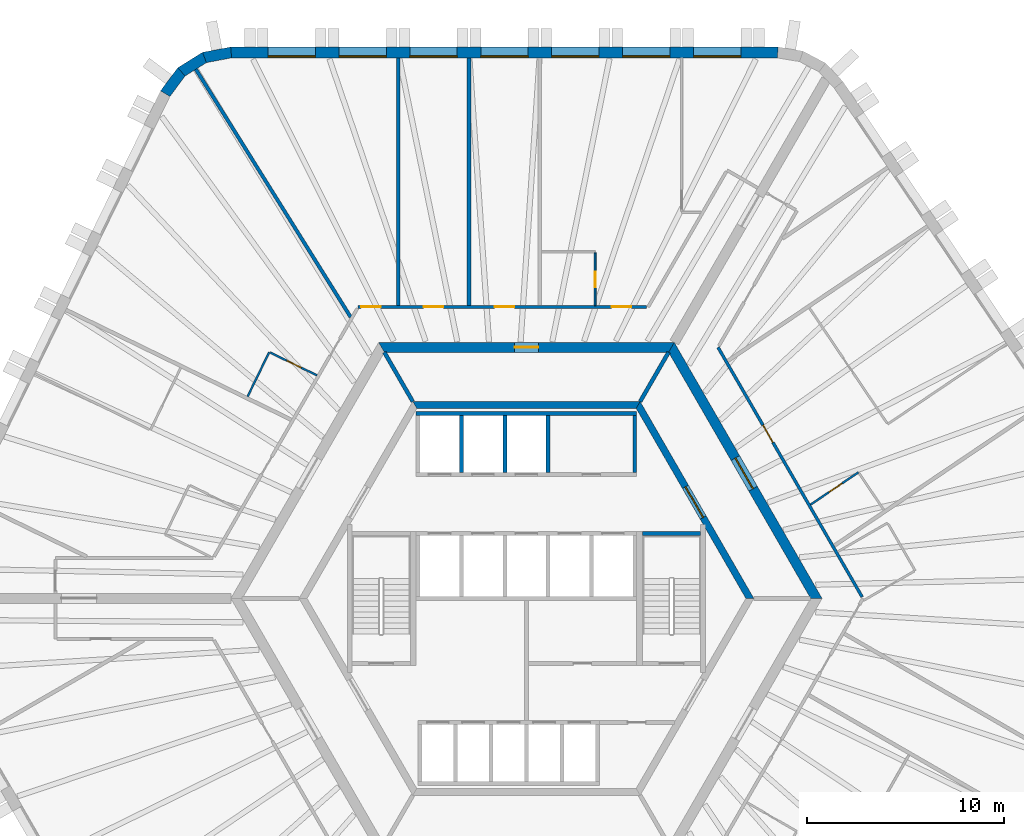
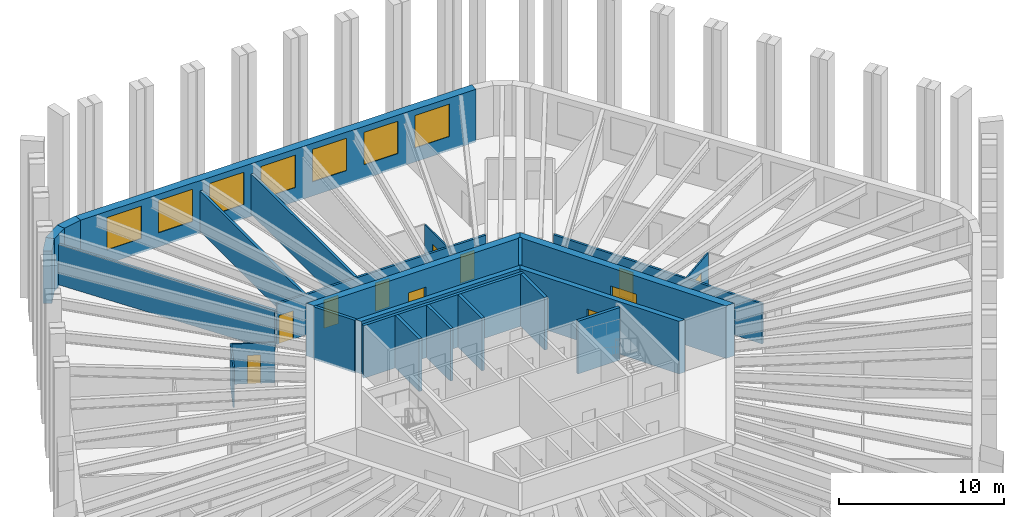
# One storey, part 7 of 9: 25 walls, 11 doors, 7 windows, 18 openings.
"""IFC4 building model written with IfcOpenShell, lengths in metres."""

from ifc_helpers import new_model, si_unit, direction, frame, frame_2d, origin, place, context, subcontext, project, spatial, polyline, rectangle, outline, extrude, material, layer, layer_set, type_object, element, fill, save


model = new_model("IFC4")

# Units and contexts
model_context = context("Model", 3, precision=1e-05, world=origin(), true_north=direction((0.0, 1.0)))
body_context = subcontext(model_context, "Body", "Model", "MODEL_VIEW")
ifc_project = project(units=[si_unit("LENGTHUNIT", "METRE"), si_unit("AREAUNIT", "SQUARE_METRE"), si_unit("VOLUMEUNIT", "CUBIC_METRE"), si_unit("PLANEANGLEUNIT", "RADIAN"), si_unit("MASSUNIT", "GRAM", prefix="KILO")], contexts=[model_context])

# Site, building, storey
site_placement = place(None, origin())
site = spatial("IfcSite", under=ifc_project, at=site_placement, CompositionType="ELEMENT")
building_placement = place(site_placement, origin())
building = spatial("IfcBuilding", under=site, at=building_placement, Name="Tarnside Tower", CompositionType="ELEMENT")
storey_placement = place(building_placement, frame((0.0, 0.0, 215.10009765625)))
storey = spatial("IfcBuildingStorey", under=building, at=storey_placement, Name="L51", CompositionType="ELEMENT", Elevation=215.10009765625)

# Wall, opening, door
ifc_material_1 = material(Name="Gypsum board partition on steel studs", Category="steel")
ifc_layer_1 = layer(ifc_material_1, 0.10009765625)
ifc_layer_set_1 = layer_set([ifc_layer_1], Name="Bathroom wall 100")
wall_type_1 = type_object("IfcWallType", Name="Bathroom wall 100", PredefinedType="PARTITIONING", material=ifc_layer_set_1)
wall_1_placement = place(storey_placement, frame((3.482177734375, 17.550048828125, 0.0), z_axis=(0.0, 0.0, 1.0), x_axis=(0.0, -1.0, 0.0)))
wall_1 = element("IfcWall", 1, at=wall_1_placement, inside=storey, type_object=wall_type_1, Name="Bathroom wall 17047", PredefinedType="PARTITIONING", context=body_context, shape_type="SweptSolid", body=[
    extrude(rectangle(XDim=2.675048828125, YDim=0.10009765625, at=frame_2d((1.33740234375, 0.0))), origin(), (0.0, 0.0, 1.0), 2.98779296875),
])
opening_1_placement = place(wall_1_placement, frame((0.949951171875, 0.0, 0.0)))
opening_1 = element("IfcOpeningElement", 2, at=opening_1_placement, cuts=wall_1, Name="Opening D-B1", PredefinedType="OPENING", context=body_context, shape_type="SweptSolid", body=[
    extrude(rectangle(XDim=0.800048828125, YDim=2.10009765625, at=frame_2d((0.39990234375, 1.050048828125))), frame((0.0, 0.06005859375, 0.0), z_axis=(0.0, -1.0, 0.0), x_axis=(1.0, 0.0, 0.0)), (0.0, 0.0, 1.0), 0.1201171875),
])
ifc_material_2 = material(Name="Timber door leaf", Category="wood")
door_type_1 = type_object("IfcDoorType", Name="Bathroom door 800", OperationType="NOTDEFINED", PredefinedType="DOOR", material=ifc_material_2)
door_1_placement = place(opening_1_placement, origin())
door_1 = element("IfcDoor", 3, at=door_1_placement, inside=storey, type_object=door_type_1, Name="Bathroom door 17002", OperationType="SINGLE_SWING_LEFT", OverallHeight=2.10009765625, OverallWidth=0.800048828125, PredefinedType="DOOR", context=body_context, shape_type="SweptSolid", body=[
    extrude(rectangle(XDim=0.800048828125, YDim=2.10009765625, at=frame_2d((0.39990234375, 1.050048828125))), frame((0.0, 0.02490234375, 0.0), z_axis=(0.0, -1.0, 0.0), x_axis=(1.0, 0.0, 0.0)), (0.0, 0.0, 1.0), 0.050048828125),
])
fill(opening_1, door_1)

# Wall
wall_2_placement = place(storey_placement, frame((-14.161865234375, 10.25390625, 0.0), z_axis=(0.0, 0.0, 1.0), x_axis=(0.438398718232, 0.898780598284, 0.0)))
element("IfcWall", 4, at=wall_2_placement, inside=storey, type_object=wall_type_1, Name="Bathroom wall 17055", PredefinedType="PARTITIONING", context=body_context, shape_type="SweptSolid", body=[
    extrude(rectangle(XDim=2.510009765625, YDim=0.10009765625, at=frame_2d((1.2548828125, 0.0))), origin(), (0.0, 0.0, 1.0), 2.98779296875),
])

# Wall, opening, door
wall_3_placement = place(storey_placement, frame((-13.0166015625, 12.48779296875, 0.0), z_axis=(0.0, 0.0, 1.0), x_axis=(0.89882691906, -0.438303741226, 0.0)))
wall_3 = element("IfcWall", 5, at=wall_3_placement, inside=storey, type_object=wall_type_1, Name="Bathroom wall 17056", PredefinedType="PARTITIONING", context=body_context, shape_type="SweptSolid", body=[
    extrude(rectangle(XDim=2.64794921875, YDim=0.10009765625, at=frame_2d((1.323974609375, 0.0))), origin(), (0.0, 0.0, 1.0), 2.98779296875),
])
opening_2_placement = place(wall_3_placement, frame((0.949951171875, 0.0, 0.0)))
opening_2 = element("IfcOpeningElement", 6, at=opening_2_placement, cuts=wall_3, Name="Opening D-B1", PredefinedType="OPENING", context=body_context, shape_type="SweptSolid", body=[
    extrude(rectangle(XDim=0.800048828125, YDim=2.10009765625, at=frame_2d((0.39990234375, 1.050048828125))), frame((0.0, 0.06005859375, 0.0), z_axis=(0.0, -1.0, 0.0), x_axis=(1.0, 0.0, 0.0)), (0.0, 0.0, 1.0), 0.1201171875),
])
door_2_placement = place(opening_2_placement, origin())
door_2 = element("IfcDoor", 7, at=door_2_placement, inside=storey, type_object=door_type_1, Name="Bathroom door 17008", OperationType="SINGLE_SWING_LEFT", OverallHeight=2.10009765625, OverallWidth=0.800048828125, PredefinedType="DOOR", context=body_context, shape_type="SweptSolid", body=[
    extrude(rectangle(XDim=0.800048828125, YDim=2.10009765625, at=frame_2d((0.39990234375, 1.050048828125))), frame((0.0, 0.02490234375, 0.0), z_axis=(0.0, -1.0, 0.0), x_axis=(1.0, 0.0, 0.0)), (0.0, 0.0, 1.0), 0.050048828125),
])
fill(opening_2, door_2)

wall_4_placement = place(storey_placement, frame((14.426025390625, 4.763427734375, 0.0), z_axis=(0.0, 0.0, 1.0), x_axis=(0.829055983973, 0.559165606451, 0.0)))
wall_4 = element("IfcWall", 8, at=wall_4_placement, inside=storey, type_object=wall_type_1, Name="Bathroom wall 17094", PredefinedType="PARTITIONING", context=body_context, shape_type="SweptSolid", body=[
    extrude(rectangle(XDim=2.9345703125, YDim=0.10009765625, at=frame_2d((1.46728515625, 0.0))), origin(), (0.0, 0.0, 1.0), 2.98779296875),
])
opening_3_placement = place(wall_4_placement, frame((1.134521484375, 0.0, 0.0)))
opening_3 = element("IfcOpeningElement", 9, at=opening_3_placement, cuts=wall_4, Name="Opening D-B1", PredefinedType="OPENING", context=body_context, shape_type="SweptSolid", body=[
    extrude(rectangle(XDim=0.800048828125, YDim=2.10009765625, at=frame_2d((0.39990234375, 1.050048828125))), frame((0.0, 0.06005859375, 0.0), z_axis=(0.0, -1.0, 0.0), x_axis=(1.0, 0.0, 0.0)), (0.0, 0.0, 1.0), 0.1201171875),
])
door_3_placement = place(opening_3_placement, origin())
door_3 = element("IfcDoor", 10, at=door_3_placement, inside=storey, type_object=door_type_1, Name="Bathroom door 17030", OperationType="SINGLE_SWING_LEFT", OverallHeight=2.10009765625, OverallWidth=0.800048828125, PredefinedType="DOOR", context=body_context, shape_type="SweptSolid", body=[
    extrude(rectangle(XDim=0.800048828125, YDim=2.10009765625, at=frame_2d((0.39990234375, 1.050048828125))), frame((0.0, 0.02490234375, 0.0), z_axis=(0.0, -1.0, 0.0), x_axis=(1.0, 0.0, 0.0)), (0.0, 0.0, 1.0), 0.050048828125),
])
fill(opening_3, door_3)

ifc_material_3 = material(Name="Concrete C50/60", Category="concrete")
ifc_layer_2 = layer(ifc_material_3, 0.35009765625)
ifc_layer_set_2 = layer_set([ifc_layer_2], Name="Core block wall 350 C50/60")
wall_type_2 = type_object("IfcWallType", Name="Core block wall 350 C50/60", PredefinedType="SHEAR", material=ifc_layer_set_2)
wall_5_placement = place(storey_placement, frame((11.344970703125, 0.0, -0.150146484375), z_axis=(0.0, 0.0, 1.0), x_axis=(-0.499995046907, 0.866028263435, 0.0)))
wall_5 = element("IfcWall", 11, at=wall_5_placement, inside=storey, type_object=wall_type_2, Name="L51 core block wall face 6", PredefinedType="SHEAR", context=body_context, shape_type="SweptSolid", body=[
    extrude(outline(polyline([(-0.10107421875, -0.175048828125), (11.44580078125, -0.175048828125), (11.24365234375, 0.175048828125), (0.10107421875, 0.175048828125), (-0.10107421875, -0.175048828125)])), origin(), (0.0, 0.0, 1.0), 3.900146484375),
])
opening_4_placement = place(wall_5_placement, frame((4.74365234375, 0.0, 0.14990234375)))
opening_4 = element("IfcOpeningElement", 12, at=opening_4_placement, cuts=wall_5, Name="Opening CD-LOB", PredefinedType="OPENING", context=body_context, shape_type="SweptSolid", body=[
    extrude(rectangle(XDim=1.800048828125, YDim=2.39990234375, at=frame_2d((0.89990234375, 1.199951171875))), frame((0.0, 0.18505859375, 0.0), z_axis=(0.0, -1.0, 0.0), x_axis=(1.0, 0.0, 0.0)), (0.0, 0.0, 1.0), 0.3701171875),
])
ifc_material_4 = material(Name="Steel fire door", Category="steel")
door_type_2 = type_object("IfcDoorType", Name="Lobby double door FD30S 1800x2400", OperationType="NOTDEFINED", PredefinedType="DOOR", material=ifc_material_4)
door_4_placement = place(opening_4_placement, origin())
door_4 = element("IfcDoor", 13, at=door_4_placement, inside=storey, type_object=door_type_2, Name="L51 lobby block door P2", OperationType="DOUBLE_DOOR_SINGLE_SWING", OverallHeight=2.39990234375, OverallWidth=1.800048828125, PredefinedType="DOOR", context=body_context, shape_type="SweptSolid", body=[
    extrude(rectangle(XDim=1.800048828125, YDim=2.39990234375, at=frame_2d((0.89990234375, 1.199951171875))), frame((0.0, 0.02490234375, 0.0), z_axis=(0.0, -1.0, 0.0), x_axis=(1.0, 0.0, 0.0)), (0.0, 0.0, 1.0), 0.050048828125),
])
fill(opening_4, door_4)

# Wall
wall_6_placement = place(storey_placement, frame((5.672607421875, 9.824951171875, -0.150146484375), z_axis=(0.0, 0.0, 1.0), x_axis=(-1.0, 0.0, 0.0)))
element("IfcWall", 14, at=wall_6_placement, inside=storey, type_object=wall_type_2, Name="L51 core block wall face 1", PredefinedType="SHEAR", context=body_context, shape_type="SweptSolid", body=[
    extrude(outline(polyline([(-0.10107421875, -0.175048828125), (11.4462890625, -0.175048828125), (11.244140625, 0.175048828125), (0.10107421875, 0.175048828125), (-0.10107421875, -0.175048828125)])), origin(), (0.0, 0.0, 1.0), 3.900146484375),
])

# Wall, opening, door
ifc_material_5 = material(Name="Concrete C70/85", Category="concrete")
ifc_layer_3 = layer(ifc_material_5, 0.5)
ifc_layer_set_3 = layer_set([ifc_layer_3], Name="Core wall Z2 500 C70/85")
wall_type_3 = type_object("IfcWallType", Name="Core wall Z2 500 C70/85", PredefinedType="SHEAR", material=ifc_layer_set_3)
wall_7_placement = place(storey_placement, frame((14.722412109375, 0.0, -0.150146484375), z_axis=(0.0, 0.0, 1.0), x_axis=(-0.50000571537, 0.866022103989, 0.0)))
wall_7 = element("IfcWall", 15, at=wall_7_placement, inside=storey, type_object=wall_type_3, Name="L51 core wall face 6", PredefinedType="SHEAR", context=body_context, shape_type="SweptSolid", body=[
    extrude(outline(polyline([(-0.144287109375, -0.25), (14.86669921875, -0.25), (14.578125, 0.25), (0.144287109375, 0.25), (-0.144287109375, -0.25)])), origin(), (0.0, 0.0, 1.0), 3.900146484375),
])
opening_5_placement = place(wall_7_placement, frame((6.432373046875, 0.0, 0.14990234375)))
opening_5 = element("IfcOpeningElement", 16, at=opening_5_placement, cuts=wall_7, Name="Opening CD-LOB", PredefinedType="OPENING", context=body_context, shape_type="SweptSolid", body=[
    extrude(rectangle(XDim=1.800048828125, YDim=2.39990234375, at=frame_2d((0.89990234375, 1.199951171875))), frame((0.0, 0.260009765625, 0.0), z_axis=(0.0, -1.0, 0.0), x_axis=(1.0, 0.0, 0.0)), (0.0, 0.0, 1.0), 0.52001953125),
])
door_5_placement = place(opening_5_placement, origin())
door_5 = element("IfcDoor", 17, at=door_5_placement, inside=storey, type_object=door_type_2, Name="L51 core door P2", OperationType="DOUBLE_DOOR_SINGLE_SWING", OverallHeight=2.39990234375, OverallWidth=1.800048828125, PredefinedType="DOOR", context=body_context, shape_type="SweptSolid", body=[
    extrude(rectangle(XDim=1.800048828125, YDim=2.39990234375, at=frame_2d((0.89990234375, 1.199951171875))), frame((0.0, 0.02490234375, 0.0), z_axis=(0.0, -1.0, 0.0), x_axis=(1.0, 0.0, 0.0)), (0.0, 0.0, 1.0), 0.050048828125),
])
fill(opening_5, door_5)

wall_8_placement = place(storey_placement, frame((7.361083984375, 12.75, -0.150146484375), z_axis=(0.0, 0.0, 1.0), x_axis=(-1.0, 0.0, 0.0)))
wall_8 = element("IfcWall", 18, at=wall_8_placement, inside=storey, type_object=wall_type_3, Name="L51 core wall face 1", PredefinedType="SHEAR", context=body_context, shape_type="SweptSolid", body=[
    extrude(outline(polyline([(-0.144287109375, -0.25), (14.866455078125, -0.25), (14.577880859375, 0.25), (0.144287109375, 0.25), (-0.144287109375, -0.25)])), origin(), (0.0, 0.0, 1.0), 3.900146484375),
])
opening_6_placement = place(wall_8_placement, frame((6.76123046875, 0.0, 0.14990234375)))
opening_6 = element("IfcOpeningElement", 19, at=opening_6_placement, cuts=wall_8, Name="Opening CD-RSR", PredefinedType="OPENING", context=body_context, shape_type="SweptSolid", body=[
    extrude(rectangle(XDim=1.199951171875, YDim=2.39990234375, at=frame_2d((0.60009765625, 1.199951171875))), frame((0.0, 0.260009765625, 0.0), z_axis=(0.0, -1.0, 0.0), x_axis=(1.0, 0.0, 0.0)), (0.0, 0.0, 1.0), 0.52001953125),
])
door_type_3 = type_object("IfcDoorType", Name="Riser door FD60 1200x2400", OperationType="NOTDEFINED", PredefinedType="DOOR", material=ifc_material_4)
door_6_placement = place(opening_6_placement, origin())
door_6 = element("IfcDoor", 20, at=door_6_placement, inside=storey, type_object=door_type_3, Name="L51 core door S5", OperationType="SINGLE_SWING_LEFT", OverallHeight=2.39990234375, OverallWidth=1.199951171875, PredefinedType="DOOR", context=body_context, shape_type="SweptSolid", body=[
    extrude(rectangle(XDim=1.199951171875, YDim=2.39990234375, at=frame_2d((0.60009765625, 1.199951171875))), frame((0.0, 0.02490234375, 0.0), z_axis=(0.0, -1.0, 0.0), x_axis=(1.0, 0.0, 0.0)), (0.0, 0.0, 1.0), 0.050048828125),
])
fill(opening_6, door_6)

# Wall, openings, doors
ifc_layer_4 = layer(ifc_material_1, 0.14990234375)
ifc_layer_set_4 = layer_set([ifc_layer_4], Name="Corridor wall 150 EI 60")
wall_type_4 = type_object("IfcWallType", Name="Corridor wall 150 EI 60", PredefinedType="PARTITIONING", material=ifc_layer_set_4)
wall_9_placement = place(storey_placement, frame((6.091064453125, 14.800048828125, 0.0), z_axis=(0.0, 0.0, 1.0), x_axis=(-1.0, 0.0, 0.0)))
wall_9 = element("IfcWall", 21, at=wall_9_placement, inside=storey, type_object=wall_type_4, Name="Corridor wall 17002", PredefinedType="PARTITIONING", context=body_context, shape_type="SweptSolid", body=[
    extrude(rectangle(XDim=14.6357421875, YDim=0.14990234375, at=frame_2d((7.31787109375, 0.0))), origin(), (0.0, 0.0, 1.0), 2.98779296875),
])
opening_7_placement = place(wall_9_placement, frame((0.76123046875, 0.0, 0.0)))
opening_7 = element("IfcOpeningElement", 22, at=opening_7_placement, cuts=wall_9, Name="Opening D-E1", PredefinedType="OPENING", context=body_context, shape_type="SweptSolid", body=[
    extrude(rectangle(XDim=1.0, YDim=2.10009765625, at=frame_2d((0.5, 1.050048828125))), frame((0.0, 0.0849609375, 0.0), z_axis=(0.0, -1.0, 0.0), x_axis=(1.0, 0.0, 0.0)), (0.0, 0.0, 1.0), 0.169921875),
])
opening_8_placement = place(wall_9_placement, frame((6.708984375, 0.0, 0.0)))
opening_8 = element("IfcOpeningElement", 23, at=opening_8_placement, cuts=wall_9, Name="Opening D-E1", PredefinedType="OPENING", context=body_context, shape_type="SweptSolid", body=[
    extrude(rectangle(XDim=1.0, YDim=2.10009765625, at=frame_2d((0.5, 1.050048828125))), frame((0.0, 0.0849609375, 0.0), z_axis=(0.0, -1.0, 0.0), x_axis=(1.0, 0.0, 0.0)), (0.0, 0.0, 1.0), 0.169921875),
])
opening_9_placement = place(wall_9_placement, frame((10.308837890625, 0.0, 0.0)))
opening_9 = element("IfcOpeningElement", 24, at=opening_9_placement, cuts=wall_9, Name="Opening D-E1", PredefinedType="OPENING", context=body_context, shape_type="SweptSolid", body=[
    extrude(rectangle(XDim=1.0, YDim=2.10009765625, at=frame_2d((0.5, 1.050048828125))), frame((0.0, 0.0849609375, 0.0), z_axis=(0.0, -1.0, 0.0), x_axis=(1.0, 0.0, 0.0)), (0.0, 0.0, 1.0), 0.169921875),
])
opening_10_placement = place(wall_9_placement, frame((13.48583984375, 0.0, 0.0)))
opening_10 = element("IfcOpeningElement", 25, at=opening_10_placement, cuts=wall_9, Name="Opening D-E1", PredefinedType="OPENING", context=body_context, shape_type="SweptSolid", body=[
    extrude(rectangle(XDim=1.0, YDim=2.10009765625, at=frame_2d((0.5, 1.050048828125))), frame((0.0, 0.0849609375, 0.0), z_axis=(0.0, -1.0, 0.0), x_axis=(1.0, 0.0, 0.0)), (0.0, 0.0, 1.0), 0.169921875),
])
door_type_4 = type_object("IfcDoorType", Name="Unit entrance door 1000 FD30S", OperationType="NOTDEFINED", PredefinedType="DOOR", material=ifc_material_2)
door_7_placement = place(opening_7_placement, origin())
door_7 = element("IfcDoor", 26, at=door_7_placement, inside=storey, type_object=door_type_4, Name="Unit door 17001", OperationType="SINGLE_SWING_RIGHT", OverallHeight=2.10009765625, OverallWidth=1.0, PredefinedType="DOOR", context=body_context, shape_type="SweptSolid", body=[
    extrude(rectangle(XDim=1.0, YDim=2.10009765625, at=frame_2d((0.5, 1.050048828125))), frame((0.0, 0.02490234375, 0.0), z_axis=(0.0, -1.0, 0.0), x_axis=(1.0, 0.0, 0.0)), (0.0, 0.0, 1.0), 0.050048828125),
])
fill(opening_7, door_7)
door_8_placement = place(opening_8_placement, origin())
door_8 = element("IfcDoor", 27, at=door_8_placement, inside=storey, type_object=door_type_4, Name="Unit door 17004", OperationType="SINGLE_SWING_LEFT", OverallHeight=2.10009765625, OverallWidth=1.0, PredefinedType="DOOR", context=body_context, shape_type="SweptSolid", body=[
    extrude(rectangle(XDim=1.0, YDim=2.10009765625, at=frame_2d((0.5, 1.050048828125))), frame((0.0, 0.02490234375, 0.0), z_axis=(0.0, -1.0, 0.0), x_axis=(1.0, 0.0, 0.0)), (0.0, 0.0, 1.0), 0.050048828125),
])
fill(opening_8, door_8)
door_9_placement = place(opening_9_placement, origin())
door_9 = element("IfcDoor", 28, at=door_9_placement, inside=storey, type_object=door_type_4, Name="Unit door 17005", OperationType="SINGLE_SWING_RIGHT", OverallHeight=2.10009765625, OverallWidth=1.0, PredefinedType="DOOR", context=body_context, shape_type="SweptSolid", body=[
    extrude(rectangle(XDim=1.0, YDim=2.10009765625, at=frame_2d((0.5, 1.050048828125))), frame((0.0, 0.02490234375, 0.0), z_axis=(0.0, -1.0, 0.0), x_axis=(1.0, 0.0, 0.0)), (0.0, 0.0, 1.0), 0.050048828125),
])
fill(opening_9, door_9)
door_10_placement = place(opening_10_placement, origin())
door_10 = element("IfcDoor", 29, at=door_10_placement, inside=storey, type_object=door_type_4, Name="Unit door 17006", OperationType="SINGLE_SWING_LEFT", OverallHeight=2.10009765625, OverallWidth=1.0, PredefinedType="DOOR", context=body_context, shape_type="SweptSolid", body=[
    extrude(rectangle(XDim=1.0, YDim=2.10009765625, at=frame_2d((0.5, 1.050048828125))), frame((0.0, 0.02490234375, 0.0), z_axis=(0.0, -1.0, 0.0), x_axis=(1.0, 0.0, 0.0)), (0.0, 0.0, 1.0), 0.050048828125),
])
fill(opening_10, door_10)

# Wall, opening, door
wall_10_placement = place(storey_placement, frame((17.04638671875, 0.074951171875, 0.0), z_axis=(0.0, 0.0, 1.0), x_axis=(-0.500008833422, 0.866020303746, 0.0)))
wall_10 = element("IfcWall", 30, at=wall_10_placement, inside=storey, type_object=wall_type_4, Name="Corridor wall 17036", PredefinedType="PARTITIONING", context=body_context, shape_type="SweptSolid", body=[
    extrude(rectangle(XDim=14.635986328125, YDim=0.14990234375, at=frame_2d((7.31787109375, 0.0))), origin(), (0.0, 0.0, 1.0), 2.98779296875),
])
opening_11_placement = place(wall_10_placement, frame((9.069580078125, 0.0, 0.0)))
opening_11 = element("IfcOpeningElement", 31, at=opening_11_placement, cuts=wall_10, Name="Opening D-E1", PredefinedType="OPENING", context=body_context, shape_type="SweptSolid", body=[
    extrude(rectangle(XDim=1.0, YDim=2.10009765625, at=frame_2d((0.5, 1.050048828125))), frame((0.0, 0.0849609375, 0.0), z_axis=(0.0, -1.0, 0.0), x_axis=(1.0, 0.0, 0.0)), (0.0, 0.0, 1.0), 0.169921875),
])
door_11_placement = place(opening_11_placement, origin())
door_11 = element("IfcDoor", 32, at=door_11_placement, inside=storey, type_object=door_type_4, Name="Unit door 17029", OperationType="SINGLE_SWING_RIGHT", OverallHeight=2.10009765625, OverallWidth=1.0, PredefinedType="DOOR", context=body_context, shape_type="SweptSolid", body=[
    extrude(rectangle(XDim=1.0, YDim=2.10009765625, at=frame_2d((0.5, 1.050048828125))), frame((0.0, 0.02490234375, 0.0), z_axis=(0.0, -1.0, 0.0), x_axis=(1.0, 0.0, 0.0)), (0.0, 0.0, 1.0), 0.050048828125),
])
fill(opening_11, door_11)

# Walls
ifc_layer_5 = layer(ifc_material_1, 0.179931640625)
ifc_layer_set_5 = layer_set([ifc_layer_5], Name="Demising wall 180 EI 60")
wall_type_5 = type_object("IfcWallType", Name="Demising wall 180 EI 60", PredefinedType="PARTITIONING", material=ifc_layer_set_5)
for number, where, z_axis, x_axis, name in (
    (33, (-2.91796875, 27.449951171875, 0.0), (0.0, 0.0, 1.0), (0.0, -1.0, 0.0), "Demising wall 17052"),
    (34, (-6.517822265625, 27.449951171875, 0.0), (0.0, 0.0, 1.0), (0.0, -1.0, 0.0), "Demising wall 17053"),
):
    element("IfcWall", number, at=place(storey_placement, frame(where, z_axis=z_axis, x_axis=x_axis)), inside=storey, type_object=wall_type_5, Name=name, PredefinedType="PARTITIONING", context=body_context, shape_type="SweptSolid", body=[
        extrude(rectangle(XDim=12.574951171875, YDim=0.179931640625, at=frame_2d((6.28759765625, 0.0))), origin(), (0.0, 0.0, 1.0), 2.98779296875),
    ])
wall_11_placement = place(storey_placement, frame((-16.791015625, 26.87109375, 0.0), z_axis=(0.0, 0.0, 1.0), x_axis=(0.529927950822, -0.848042668111, 0.0)))
element("IfcWall", 35, at=wall_11_placement, inside=storey, type_object=wall_type_5, Name="Demising wall 17054", PredefinedType="PARTITIONING", context=body_context, shape_type="SweptSolid", body=[
    extrude(rectangle(XDim=14.8388671875, YDim=0.179931640625, at=frame_2d((7.41943359375, 0.0))), origin(), (0.0, 0.0, 1.0), 2.98779296875),
])
ifc_material_6 = material(Name="Concrete C40/50", Category="concrete")
ifc_layer_6 = layer(ifc_material_6, 0.199951171875)
ifc_layer_set_6 = layer_set([ifc_layer_6], Name="Lift shaft wall 200 C40/50")
wall_type_6 = type_object("IfcWallType", Name="Lift shaft wall 200 C40/50", PredefinedType="SHEAR", material=ifc_layer_set_6)
wall_12_placement = place(storey_placement, frame((-5.60009765625, 9.39990234375, -0.25), z_axis=(0.0, 0.0, 1.0), x_axis=(1.0, 0.0, 0.0)))
element("IfcWall", 36, at=wall_12_placement, inside=storey, type_object=wall_type_6, Name="L51 lift shaft back wall R1", PredefinedType="SHEAR", context=body_context, shape_type="SweptSolid", body=[
    extrude(rectangle(XDim=11.2001953125, YDim=0.199951171875, at=frame_2d((5.60009765625, 0.0))), origin(), (0.0, 0.0, 1.0), 3.89990234375),
])
for number, where, z_axis, x_axis, name in (
    (37, (-3.300048828125, 6.39990234375, -0.25), (0.0, 0.0, 1.0), (0.0, 1.0, 0.0), "L51 lift shaft partition R12"),
    (38, (-1.10009765625, 6.39990234375, -0.25), (0.0, 0.0, 1.0), (0.0, 1.0, 0.0), "L51 lift shaft partition R13"),
    (39, (1.10009765625, 6.39990234375, -0.25), (0.0, 0.0, 1.0), (0.0, 1.0, 0.0), "L51 lift shaft partition R14"),
    (40, (5.5, 6.39990234375, -0.25), (0.0, 0.0, 1.0), (0.0, 1.0, 0.0), "L51 lift shaft partition R16"),
):
    element("IfcWall", number, at=place(storey_placement, frame(where, z_axis=z_axis, x_axis=x_axis)), inside=storey, type_object=wall_type_6, Name=name, PredefinedType="SHEAR", context=body_context, shape_type="SweptSolid", body=[
        extrude(rectangle(XDim=2.900146484375, YDim=0.199951171875, at=frame_2d((1.4501953125, 0.0))), origin(), (0.0, 0.0, 1.0), 3.89990234375),
    ])
for number, where, z_axis, x_axis, name in (
    (41, (5.7734375, 10.0, -0.150146484375), (0.0, 0.0, 1.0), (0.499995765644, 0.866027848477, 0.0), "L51 core partition AR60"),
    (42, (-5.7734375, 10.0, -0.150146484375), (0.0, 0.0, 1.0), (-0.499995765644, 0.866027848477, 0.0), "L51 core partition AR120"),
):
    element("IfcWall", number, at=place(storey_placement, frame(where, z_axis=z_axis, x_axis=x_axis)), inside=storey, type_object=wall_type_6, Name=name, PredefinedType="SHEAR", context=body_context, shape_type="SweptSolid", body=[
        extrude(rectangle(XDim=2.88671875, YDim=0.199951171875, at=frame_2d((1.443359375, 0.0))), origin(), (0.0, 0.0, 1.0), 3.900146484375),
    ])
wall_13_placement = place(storey_placement, frame((5.89990234375, 3.300048828125, -0.25), z_axis=(0.0, 0.0, 1.0), x_axis=(1.0, 0.0, 0.0)))
element("IfcWall", 43, at=wall_13_placement, inside=storey, type_object=wall_type_6, Name="L51 stair 1 enclosure cap wall n", PredefinedType="SHEAR", context=body_context, shape_type="SweptSolid", body=[
    extrude(rectangle(XDim=2.9501953125, YDim=0.199951171875, at=frame_2d((1.47509765625, 0.0))), origin(), (0.0, 0.0, 1.0), 3.89990234375),
])

# Wall, openings, windows
ifc_material_7 = material(Name="Facing brick", Category="masonry")
ifc_layer_7 = layer(ifc_material_7, 0.10205078125)
ifc_material_8 = material(Name="Concrete C60/75 precast", Category="concrete")
ifc_layer_8 = layer(ifc_material_8, 0.347900390625)
ifc_material_9 = material(Name="Mineral wool insulation")
ifc_layer_9 = layer(ifc_material_9, 0.10009765625)
ifc_layer_set_7 = layer_set([ifc_layer_7, ifc_layer_8, ifc_layer_9], Name="Tube wall 550 brick faced")
wall_type_7 = type_object("IfcWallType", Name="Tube wall 550 brick faced", PredefinedType="SOLIDWALL", material=ifc_layer_set_7)
wall_14_placement = place(storey_placement, frame((12.760986328125, 27.72509765625, -0.150146484375), z_axis=(0.0, 0.0, 1.0), x_axis=(-1.0, 0.0, 0.0)))
wall_14 = element("IfcWall", 44, at=wall_14_placement, inside=storey, type_object=wall_type_7, Name="Tube wall L51 F1 flush 00", PredefinedType="SOLIDWALL", context=body_context, shape_type="SweptSolid", body=[
    extrude(outline(polyline([(-0.0224609375, -0.27490234375), (27.783447265625, -0.27490234375), (27.732177734375, 0.27490234375), (0.0224609375, 0.27490234375), (-0.0224609375, -0.27490234375)])), origin(), (0.0, 0.0, 1.0), 3.900146484375),
])
opening_12_placement = place(wall_14_placement, frame((1.87890625, 0.0, 1.050048828125)))
opening_12 = element("IfcOpeningElement", 45, at=opening_12_placement, cuts=wall_14, Name="Opening WH", PredefinedType="OPENING", context=body_context, shape_type="SweptSolid", body=[
    extrude(rectangle(XDim=2.39990234375, YDim=2.39990234375, at=frame_2d((1.199951171875, 1.199951171875))), frame((0.0, 0.28515625, 0.0), z_axis=(0.0, -1.0, 0.0), x_axis=(1.0, 0.0, 0.0)), (0.0, 0.0, 1.0), 0.570068359375),
])
opening_13_placement = place(wall_14_placement, frame((5.47900390625, 0.0, 1.050048828125)))
opening_13 = element("IfcOpeningElement", 46, at=opening_13_placement, cuts=wall_14, Name="Opening WH", PredefinedType="OPENING", context=body_context, shape_type="SweptSolid", body=[
    extrude(rectangle(XDim=2.39990234375, YDim=2.39990234375, at=frame_2d((1.199951171875, 1.199951171875))), frame((0.0, 0.28515625, 0.0), z_axis=(0.0, -1.0, 0.0), x_axis=(1.0, 0.0, 0.0)), (0.0, 0.0, 1.0), 0.570068359375),
])
opening_14_placement = place(wall_14_placement, frame((9.078857421875, 0.0, 1.050048828125)))
opening_14 = element("IfcOpeningElement", 47, at=opening_14_placement, cuts=wall_14, Name="Opening WH", PredefinedType="OPENING", context=body_context, shape_type="SweptSolid", body=[
    extrude(rectangle(XDim=2.39990234375, YDim=2.39990234375, at=frame_2d((1.199951171875, 1.199951171875))), frame((0.0, 0.28515625, 0.0), z_axis=(0.0, -1.0, 0.0), x_axis=(1.0, 0.0, 0.0)), (0.0, 0.0, 1.0), 0.570068359375),
])
opening_15_placement = place(wall_14_placement, frame((12.678955078125, 0.0, 1.050048828125)))
opening_15 = element("IfcOpeningElement", 48, at=opening_15_placement, cuts=wall_14, Name="Opening WH", PredefinedType="OPENING", context=body_context, shape_type="SweptSolid", body=[
    extrude(rectangle(XDim=2.39990234375, YDim=2.39990234375, at=frame_2d((1.199951171875, 1.199951171875))), frame((0.0, 0.28515625, 0.0), z_axis=(0.0, -1.0, 0.0), x_axis=(1.0, 0.0, 0.0)), (0.0, 0.0, 1.0), 0.570068359375),
])
opening_16_placement = place(wall_14_placement, frame((16.27880859375, 0.0, 1.050048828125)))
opening_16 = element("IfcOpeningElement", 49, at=opening_16_placement, cuts=wall_14, Name="Opening WH", PredefinedType="OPENING", context=body_context, shape_type="SweptSolid", body=[
    extrude(rectangle(XDim=2.39990234375, YDim=2.39990234375, at=frame_2d((1.199951171875, 1.199951171875))), frame((0.0, 0.28515625, 0.0), z_axis=(0.0, -1.0, 0.0), x_axis=(1.0, 0.0, 0.0)), (0.0, 0.0, 1.0), 0.570068359375),
])
opening_17_placement = place(wall_14_placement, frame((19.87890625, 0.0, 1.050048828125)))
opening_17 = element("IfcOpeningElement", 50, at=opening_17_placement, cuts=wall_14, Name="Opening WH", PredefinedType="OPENING", context=body_context, shape_type="SweptSolid", body=[
    extrude(rectangle(XDim=2.39990234375, YDim=2.39990234375, at=frame_2d((1.199951171875, 1.199951171875))), frame((0.0, 0.28515625, 0.0), z_axis=(0.0, -1.0, 0.0), x_axis=(1.0, 0.0, 0.0)), (0.0, 0.0, 1.0), 0.570068359375),
])
opening_18_placement = place(wall_14_placement, frame((23.47900390625, 0.0, 1.050048828125)))
opening_18 = element("IfcOpeningElement", 51, at=opening_18_placement, cuts=wall_14, Name="Opening WH", PredefinedType="OPENING", context=body_context, shape_type="SweptSolid", body=[
    extrude(rectangle(XDim=2.39990234375, YDim=2.39990234375, at=frame_2d((1.199951171875, 1.199951171875))), frame((0.0, 0.28515625, 0.0), z_axis=(0.0, -1.0, 0.0), x_axis=(1.0, 0.0, 0.0)), (0.0, 0.0, 1.0), 0.570068359375),
])
ifc_material_10 = material(Name="Aluminium-framed double glazing", Category="aluminium")
window_type = type_object("IfcWindowType", Name="Hotel window 2400 x 2400", PartitioningType="DOUBLE_PANEL_VERTICAL", PredefinedType="WINDOW", material=ifc_material_10)
window_1_placement = place(opening_12_placement, frame((0.0, 0.205078125, 0.0)))
window_1 = element("IfcWindow", 52, at=window_1_placement, inside=storey, type_object=window_type, Name="E.WN.L51.F1.00", OverallHeight=2.39990234375, OverallWidth=2.39990234375, PartitioningType="DOUBLE_PANEL_VERTICAL", PredefinedType="WINDOW", context=body_context, shape_type="SweptSolid", body=[
    extrude(rectangle(XDim=2.39990234375, YDim=2.39990234375, at=frame_2d((1.199951171875, 1.199951171875))), frame((0.0, 0.030029296875, 0.0), z_axis=(0.0, -1.0, 0.0), x_axis=(1.0, 0.0, 0.0)), (0.0, 0.0, 1.0), 0.06005859375),
])
fill(opening_12, window_1)
window_2_placement = place(opening_13_placement, frame((0.0, 0.205078125, 0.0)))
window_2 = element("IfcWindow", 53, at=window_2_placement, inside=storey, type_object=window_type, Name="E.WN.L51.F1.01", OverallHeight=2.39990234375, OverallWidth=2.39990234375, PartitioningType="DOUBLE_PANEL_VERTICAL", PredefinedType="WINDOW", context=body_context, shape_type="SweptSolid", body=[
    extrude(rectangle(XDim=2.39990234375, YDim=2.39990234375, at=frame_2d((1.199951171875, 1.199951171875))), frame((0.0, 0.030029296875, 0.0), z_axis=(0.0, -1.0, 0.0), x_axis=(1.0, 0.0, 0.0)), (0.0, 0.0, 1.0), 0.06005859375),
])
fill(opening_13, window_2)
window_3_placement = place(opening_14_placement, frame((0.0, 0.205078125, 0.0)))
window_3 = element("IfcWindow", 54, at=window_3_placement, inside=storey, type_object=window_type, Name="E.WN.L51.F1.02", OverallHeight=2.39990234375, OverallWidth=2.39990234375, PartitioningType="DOUBLE_PANEL_VERTICAL", PredefinedType="WINDOW", context=body_context, shape_type="SweptSolid", body=[
    extrude(rectangle(XDim=2.39990234375, YDim=2.39990234375, at=frame_2d((1.199951171875, 1.199951171875))), frame((0.0, 0.030029296875, 0.0), z_axis=(0.0, -1.0, 0.0), x_axis=(1.0, 0.0, 0.0)), (0.0, 0.0, 1.0), 0.06005859375),
])
fill(opening_14, window_3)
window_4_placement = place(opening_15_placement, frame((0.0, 0.205078125, 0.0)))
window_4 = element("IfcWindow", 55, at=window_4_placement, inside=storey, type_object=window_type, Name="E.WN.L51.F1.03", OverallHeight=2.39990234375, OverallWidth=2.39990234375, PartitioningType="DOUBLE_PANEL_VERTICAL", PredefinedType="WINDOW", context=body_context, shape_type="SweptSolid", body=[
    extrude(rectangle(XDim=2.39990234375, YDim=2.39990234375, at=frame_2d((1.199951171875, 1.199951171875))), frame((0.0, 0.030029296875, 0.0), z_axis=(0.0, -1.0, 0.0), x_axis=(1.0, 0.0, 0.0)), (0.0, 0.0, 1.0), 0.06005859375),
])
fill(opening_15, window_4)
window_5_placement = place(opening_16_placement, frame((0.0, 0.205078125, 0.0)))
window_5 = element("IfcWindow", 56, at=window_5_placement, inside=storey, type_object=window_type, Name="E.WN.L51.F1.04", OverallHeight=2.39990234375, OverallWidth=2.39990234375, PartitioningType="DOUBLE_PANEL_VERTICAL", PredefinedType="WINDOW", context=body_context, shape_type="SweptSolid", body=[
    extrude(rectangle(XDim=2.39990234375, YDim=2.39990234375, at=frame_2d((1.199951171875, 1.199951171875))), frame((0.0, 0.030029296875, 0.0), z_axis=(0.0, -1.0, 0.0), x_axis=(1.0, 0.0, 0.0)), (0.0, 0.0, 1.0), 0.06005859375),
])
fill(opening_16, window_5)
window_6_placement = place(opening_17_placement, frame((0.0, 0.205078125, 0.0)))
window_6 = element("IfcWindow", 57, at=window_6_placement, inside=storey, type_object=window_type, Name="E.WN.L51.F1.05", OverallHeight=2.39990234375, OverallWidth=2.39990234375, PartitioningType="DOUBLE_PANEL_VERTICAL", PredefinedType="WINDOW", context=body_context, shape_type="SweptSolid", body=[
    extrude(rectangle(XDim=2.39990234375, YDim=2.39990234375, at=frame_2d((1.199951171875, 1.199951171875))), frame((0.0, 0.030029296875, 0.0), z_axis=(0.0, -1.0, 0.0), x_axis=(1.0, 0.0, 0.0)), (0.0, 0.0, 1.0), 0.06005859375),
])
fill(opening_17, window_6)
window_7_placement = place(opening_18_placement, frame((0.0, 0.205078125, 0.0)))
window_7 = element("IfcWindow", 58, at=window_7_placement, inside=storey, type_object=window_type, Name="E.WN.L51.F1.06", OverallHeight=2.39990234375, OverallWidth=2.39990234375, PartitioningType="DOUBLE_PANEL_VERTICAL", PredefinedType="WINDOW", context=body_context, shape_type="SweptSolid", body=[
    extrude(rectangle(XDim=2.39990234375, YDim=2.39990234375, at=frame_2d((1.199951171875, 1.199951171875))), frame((0.0, 0.030029296875, 0.0), z_axis=(0.0, -1.0, 0.0), x_axis=(1.0, 0.0, 0.0)), (0.0, 0.0, 1.0), 0.06005859375),
])
fill(opening_18, window_7)

# Walls
wall_15_placement = place(storey_placement, frame((-14.996826171875, 27.72509765625, -0.150146484375), z_axis=(0.0, 0.0, 1.0), x_axis=(-0.982705443133, -0.185175624845, 0.0)))
element("IfcWall", 59, at=wall_15_placement, inside=storey, type_object=wall_type_7, Name="Tube wall L51 F1 chord 01", PredefinedType="SOLIDWALL", context=body_context, shape_type="SweptSolid", body=[
    extrude(outline(polyline([(-0.025634765625, -0.27490234375), (1.430908203125, -0.27490234375), (1.327392578125, 0.27490234375), (0.025634765625, 0.27490234375), (-0.025634765625, -0.27490234375)])), origin(), (0.0, 0.0, 1.0), 3.900146484375),
])
wall_16_placement = place(storey_placement, frame((-16.35205078125, 27.4697265625, -0.150146484375), z_axis=(0.0, 0.0, 1.0), x_axis=(-0.848057977594, -0.5299034503, 0.0)))
element("IfcWall", 60, at=wall_16_placement, inside=storey, type_object=wall_type_7, Name="Tube wall L51 F1 chord 02", PredefinedType="SOLIDWALL", context=body_context, shape_type="SweptSolid", body=[
    extrude(outline(polyline([(-0.0517578125, -0.27490234375), (1.4306640625, -0.27490234375), (1.3271484375, 0.27490234375), (0.0517578125, 0.27490234375), (-0.0517578125, -0.27490234375)])), origin(), (0.0, 0.0, 1.0), 3.900146484375),
])
wall_17_placement = place(storey_placement, frame((-17.521484375, 26.739013671875, -0.150146484375), z_axis=(0.0, 0.0, 1.0), x_axis=(-0.597135295884, -0.802140535324, 0.0)))
element("IfcWall", 61, at=wall_17_placement, inside=storey, type_object=wall_type_7, Name="Tube wall L51 F1 chord 03", PredefinedType="SOLIDWALL", context=body_context, shape_type="SweptSolid", body=[
    extrude(outline(polyline([(-0.0517578125, -0.27490234375), (1.40478515625, -0.27490234375), (1.353515625, 0.27490234375), (0.0517578125, 0.27490234375), (-0.0517578125, -0.27490234375)])), origin(), (0.0, 0.0, 1.0), 3.900146484375),
])

save(model, "model.ifc")
